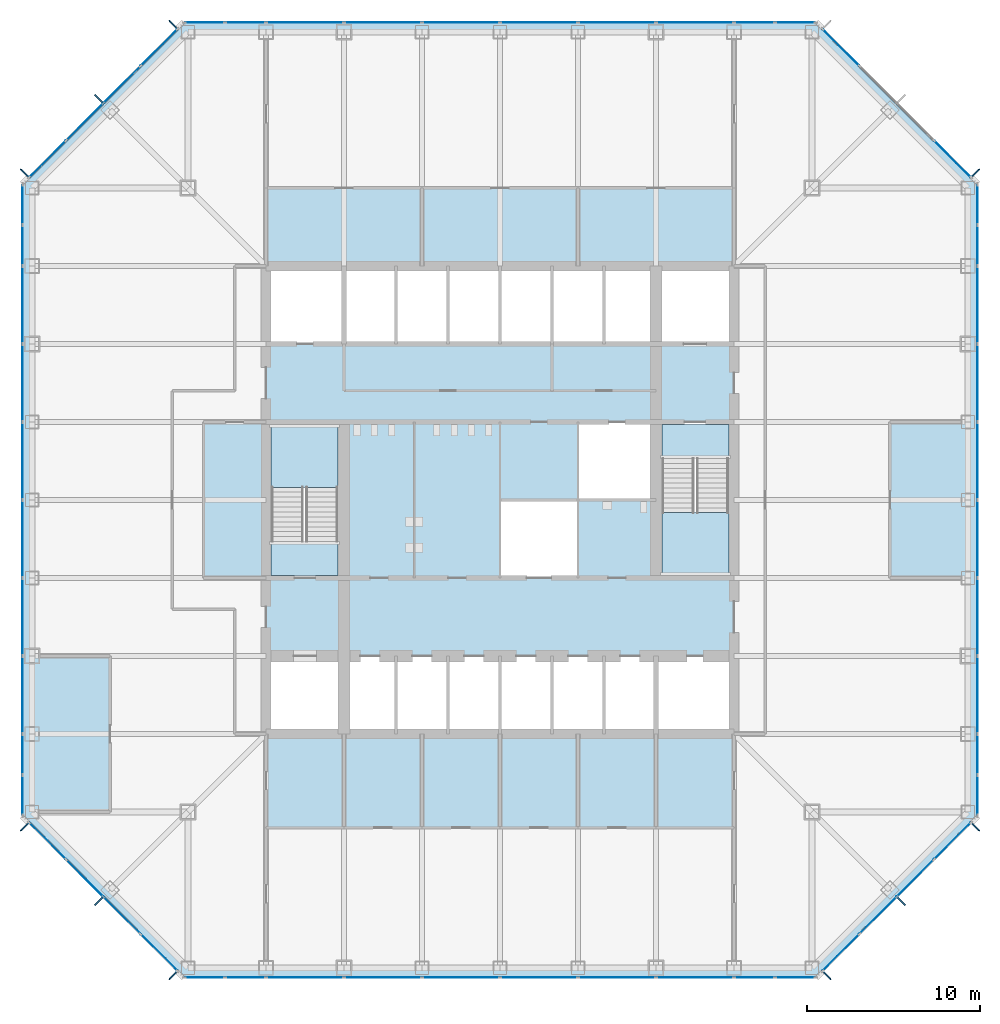
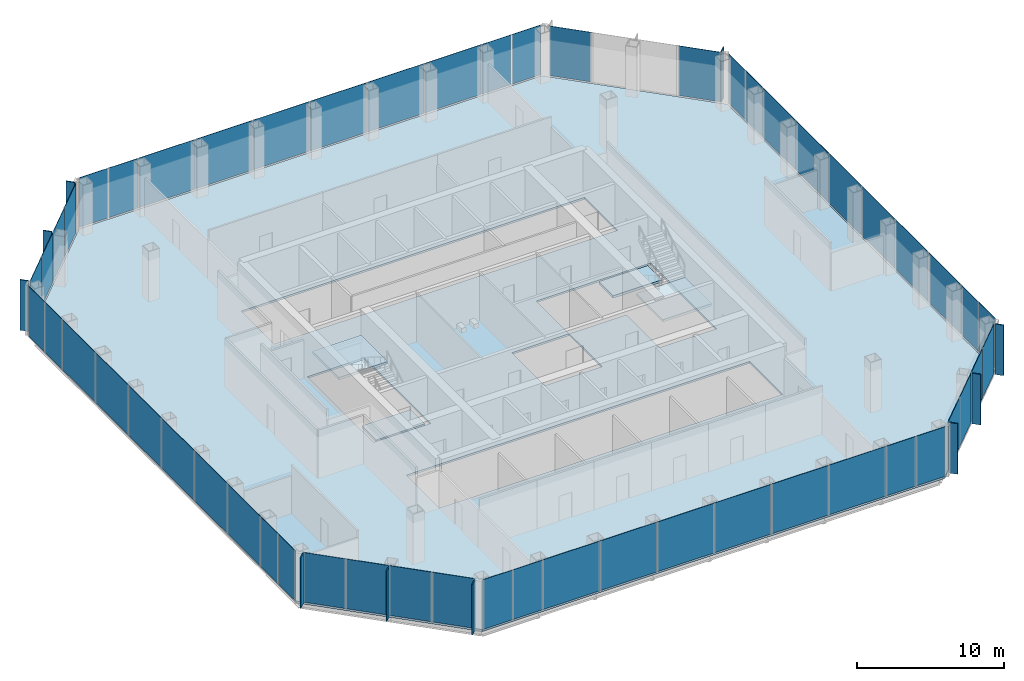
# One storey, part 7 of 12: 64 plates, 5 slabs, 10 elements without a shape of their own.
"""IFC4 building model written with IfcOpenShell, lengths in metres."""

from ifc_helpers import new_model, si_unit, direction, frame, origin, origin_2d, place, context, subcontext, project, spatial, polyline, rectangle, outline, extrude, material, layer, layer_set, type_object, element, aggregate, save


model = new_model("IFC4")

# Units and contexts
model_context = context("Model", 3, precision=1e-05, world=origin(), true_north=direction((0.0, 1.0)))
body_context = subcontext(model_context, "Body", "Model", "MODEL_VIEW")
ifc_project = project(units=[si_unit("LENGTHUNIT", "METRE"), si_unit("AREAUNIT", "SQUARE_METRE"), si_unit("VOLUMEUNIT", "CUBIC_METRE"), si_unit("PLANEANGLEUNIT", "RADIAN"), si_unit("MASSUNIT", "GRAM", prefix="KILO")], contexts=[model_context])

# Site, building, storey
site_placement = place(None, origin())
site = spatial("IfcSite", under=ifc_project, at=site_placement, CompositionType="ELEMENT")
building_placement = place(site_placement, origin())
building = spatial("IfcBuilding", under=site, at=building_placement, Name="Corais Broadcast Tower", CompositionType="ELEMENT")
storey_placement = place(building_placement, frame((0.0, 0.0, 54.199951171875)))
storey = spatial("IfcBuildingStorey", under=building, at=storey_placement, Name="L11", CompositionType="ELEMENT", Elevation=54.199951171875)

# Slab
ifc_material_1 = material(Name="Concrete C30/37", Category="concrete")
ifc_layer_1 = layer(ifc_material_1, 0.159912109375)
ifc_layer_set_1 = layer_set([ifc_layer_1], Name="Concrete C30/37")
slab_type_1 = type_object("IfcSlabType", Name="Composite floor slab 160", PredefinedType="FLOOR", material=ifc_layer_set_1)
slab_1_placement = place(storey_placement, frame((0.0, 0.0, -0.159912109375)))
element("IfcSlab", 1, at=slab_1_placement, inside=storey, type_object=slab_type_1, Name="S160 floor slab L11", PredefinedType="FLOOR", context=body_context, shape_type="SweptSolid", body=[
    extrude(outline(polyline([(8.80126953125, -0.47998046875), (-0.47998046875, 8.80126953125), (-0.47998046875, 45.19873046875), (8.80126953125, 54.47998046875), (45.19873046875, 54.47998046875), (54.47998046875, 45.19873046875), (54.47998046875, 8.80126953125), (45.19873046875, -0.47998046875), (8.80126953125, -0.47998046875)]), holes=[polyline([(13.5, 18.0), (40.5, 18.0), (40.5, 13.5), (13.5, 13.5), (13.5, 18.0)]), polyline([(13.5, 22.5), (13.5, 31.5), (18.0, 31.5), (18.0, 22.5), (13.5, 22.5)]), polyline([(13.5, 40.5), (40.5, 40.5), (40.5, 36.0), (13.5, 36.0), (13.5, 40.5)]), polyline([(27.0, 22.5), (27.0, 27.0), (31.4951171875, 27.0), (31.4951171875, 27.0048828125), (31.5, 27.0048828125), (31.5, 31.5), (40.5, 31.5), (40.5, 22.5), (36.0, 22.5), (36.0, 27.0), (31.5048828125, 27.0), (31.5048828125, 26.9951171875), (31.5, 26.9951171875), (31.5, 22.5), (27.0, 22.5)])]), origin(), (0.0, 0.0, 1.0), 0.159912109375),
])

# Curtain wall, plates
ifc_material_2 = material(Name="Aluminium and glass", Category="aluminium")
curtain_wall_type = type_object("IfcCurtainWallType", Name="Unitised fritted curtain wall CW1", PredefinedType="NOTDEFINED", material=ifc_material_2)
curtain_wall_1_placement = place(storey_placement, origin())
curtain_wall_1 = element("IfcCurtainWall", 2, at=curtain_wall_1_placement, inside=storey, type_object=curtain_wall_type, Name="CW1 curtain wall L11 1", PredefinedType="NOTDEFINED")
ifc_material_3 = material(Name="Ceramic-fritted laminated glass", Category="glass")
ifc_layer_2 = layer(ifc_material_3, 0.030029296875)
ifc_layer_set_2 = layer_set([ifc_layer_2], Name="Ceramic-fritted laminated glass")
plate_type_1 = type_object("IfcPlateType", Name="Fritted glass panel CW1", PredefinedType="CURTAIN_PANEL", material=ifc_layer_set_2)
plate_1_placement = place(storey_placement, frame((7.330322265625, 0.891845703125, 0.06494140625), z_axis=(0.0, 0.0, 1.0), x_axis=(-0.707106781187, 0.707106781187, 0.0)))
plate_1 = element("IfcPlate", 3, at=plate_1_placement, type_object=plate_type_1, Name="CW1 panel 1", PredefinedType="CURTAIN_PANEL", context=body_context, shape_type="SweptSolid", body=[
    extrude(rectangle(XDim=2.9482421875, YDim=0.030029296875, at=origin_2d()), origin(), (0.0, 0.0, 1.0), 4.135009765625),
])
plate_2_placement = place(storey_placement, frame((3.0341796875, 5.18798828125, 0.06494140625), z_axis=(0.0, 0.0, 1.0), x_axis=(-0.707106781187, 0.707106781187, 0.0)))
plate_2 = element("IfcPlate", 4, at=plate_2_placement, type_object=plate_type_1, Name="CW1 panel 3", PredefinedType="CURTAIN_PANEL", context=body_context, shape_type="SweptSolid", body=[
    extrude(rectangle(XDim=2.98095703125, YDim=0.030029296875, at=origin_2d()), origin(), (0.0, 0.0, 1.0), 4.135009765625),
])

curtain_wall_2_placement = place(storey_placement, origin())
curtain_wall_2 = element("IfcCurtainWall", 5, at=curtain_wall_2_placement, inside=storey, type_object=curtain_wall_type, Name="CW1 curtain wall L11 2", PredefinedType="NOTDEFINED")
plate_3_placement = place(storey_placement, frame((-0.550048828125, 9.970458984375, 0.06494140625), z_axis=(0.0, 0.0, 1.0), x_axis=(0.0, 1.0, 0.0)))
plate_3 = element("IfcPlate", 6, at=plate_3_placement, type_object=plate_type_1, Name="CW1 panel 1", PredefinedType="CURTAIN_PANEL", context=body_context, shape_type="SweptSolid", body=[
    extrude(rectangle(XDim=2.266357421875, YDim=0.030029296875, at=origin_2d()), origin(), (0.0, 0.0, 1.0), 4.135009765625),
])
plate_4_placement = place(storey_placement, frame((-0.550048828125, 15.75, 0.06494140625), z_axis=(0.0, 0.0, 1.0), x_axis=(0.0, 1.0, 0.0)))
plate_4 = element("IfcPlate", 7, at=plate_4_placement, type_object=plate_type_1, Name="CW1 panel 3", PredefinedType="CURTAIN_PANEL", context=body_context, shape_type="SweptSolid", body=[
    extrude(rectangle(XDim=4.43505859375, YDim=0.030029296875, at=origin_2d()), origin(), (0.0, 0.0, 1.0), 4.135009765625),
])
plate_5_placement = place(storey_placement, frame((-0.550048828125, 24.75, 0.06494140625), z_axis=(0.0, 0.0, 1.0), x_axis=(0.0, 1.0, 0.0)))
plate_5 = element("IfcPlate", 8, at=plate_5_placement, type_object=plate_type_1, Name="CW1 panel 5", PredefinedType="CURTAIN_PANEL", context=body_context, shape_type="SweptSolid", body=[
    extrude(rectangle(XDim=4.43505859375, YDim=0.030029296875, at=origin_2d()), origin(), (0.0, 0.0, 1.0), 4.135009765625),
])
plate_6_placement = place(storey_placement, frame((-0.550048828125, 33.75, 0.06494140625), z_axis=(0.0, 0.0, 1.0), x_axis=(0.0, 1.0, 0.0)))
plate_6 = element("IfcPlate", 9, at=plate_6_placement, type_object=plate_type_1, Name="CW1 panel 7", PredefinedType="CURTAIN_PANEL", context=body_context, shape_type="SweptSolid", body=[
    extrude(rectangle(XDim=4.43505859375, YDim=0.030029296875, at=origin_2d()), origin(), (0.0, 0.0, 1.0), 4.135009765625),
])
plate_7_placement = place(storey_placement, frame((-0.550048828125, 41.681884765625, 0.06494140625), z_axis=(0.0, 0.0, 1.0), x_axis=(0.0, 1.0, 0.0)))
plate_7 = element("IfcPlate", 10, at=plate_7_placement, type_object=plate_type_1, Name="CW1 panel 9", PredefinedType="CURTAIN_PANEL", context=body_context, shape_type="SweptSolid", body=[
    extrude(rectangle(XDim=2.298828125, YDim=0.030029296875, at=origin_2d()), origin(), (0.0, 0.0, 1.0), 4.135009765625),
])

curtain_wall_3_placement = place(storey_placement, origin())
curtain_wall_3 = element("IfcCurtainWall", 11, at=curtain_wall_3_placement, inside=storey, type_object=curtain_wall_type, Name="CW1 curtain wall L11 3", PredefinedType="NOTDEFINED")
plate_8_placement = place(storey_placement, frame((0.891845703125, 46.669677734375, 0.06494140625), z_axis=(0.0, 0.0, 1.0), x_axis=(0.707106781187, 0.707106781187, 0.0)))
plate_8 = element("IfcPlate", 12, at=plate_8_placement, type_object=plate_type_1, Name="CW1 panel 1", PredefinedType="CURTAIN_PANEL", context=body_context, shape_type="SweptSolid", body=[
    extrude(rectangle(XDim=2.9482421875, YDim=0.030029296875, at=origin_2d()), origin(), (0.0, 0.0, 1.0), 4.135009765625),
])
plate_9_placement = place(storey_placement, frame((5.18798828125, 50.9658203125, 0.06494140625), z_axis=(0.0, 0.0, 1.0), x_axis=(0.707106781187, 0.707106781187, 0.0)))
plate_9 = element("IfcPlate", 13, at=plate_9_placement, type_object=plate_type_1, Name="CW1 panel 3", PredefinedType="CURTAIN_PANEL", context=body_context, shape_type="SweptSolid", body=[
    extrude(rectangle(XDim=2.98095703125, YDim=0.030029296875, at=origin_2d()), origin(), (0.0, 0.0, 1.0), 4.135009765625),
])

curtain_wall_4_placement = place(storey_placement, origin())
curtain_wall_4 = element("IfcCurtainWall", 14, at=curtain_wall_4_placement, inside=storey, type_object=curtain_wall_type, Name="CW1 curtain wall L11 4", PredefinedType="NOTDEFINED")
plate_10_placement = place(storey_placement, frame((9.970458984375, 54.550048828125, 0.06494140625), z_axis=(0.0, 0.0, 1.0), x_axis=(1.0, 0.0, 0.0)))
plate_10 = element("IfcPlate", 15, at=plate_10_placement, type_object=plate_type_1, Name="CW1 panel 1", PredefinedType="CURTAIN_PANEL", context=body_context, shape_type="SweptSolid", body=[
    extrude(rectangle(XDim=2.266357421875, YDim=0.030029296875, at=origin_2d()), origin(), (0.0, 0.0, 1.0), 4.135009765625),
])
plate_11_placement = place(storey_placement, frame((15.75, 54.550048828125, 0.06494140625), z_axis=(0.0, 0.0, 1.0), x_axis=(1.0, 0.0, 0.0)))
plate_11 = element("IfcPlate", 16, at=plate_11_placement, type_object=plate_type_1, Name="CW1 panel 3", PredefinedType="CURTAIN_PANEL", context=body_context, shape_type="SweptSolid", body=[
    extrude(rectangle(XDim=4.43505859375, YDim=0.030029296875, at=origin_2d()), origin(), (0.0, 0.0, 1.0), 4.135009765625),
])
plate_12_placement = place(storey_placement, frame((24.75, 54.550048828125, 0.06494140625), z_axis=(0.0, 0.0, 1.0), x_axis=(1.0, 0.0, 0.0)))
plate_12 = element("IfcPlate", 17, at=plate_12_placement, type_object=plate_type_1, Name="CW1 panel 5", PredefinedType="CURTAIN_PANEL", context=body_context, shape_type="SweptSolid", body=[
    extrude(rectangle(XDim=4.43505859375, YDim=0.030029296875, at=origin_2d()), origin(), (0.0, 0.0, 1.0), 4.135009765625),
])
plate_13_placement = place(storey_placement, frame((33.75, 54.550048828125, 0.06494140625), z_axis=(0.0, 0.0, 1.0), x_axis=(1.0, 0.0, 0.0)))
plate_13 = element("IfcPlate", 18, at=plate_13_placement, type_object=plate_type_1, Name="CW1 panel 7", PredefinedType="CURTAIN_PANEL", context=body_context, shape_type="SweptSolid", body=[
    extrude(rectangle(XDim=4.43505859375, YDim=0.030029296875, at=origin_2d()), origin(), (0.0, 0.0, 1.0), 4.135009765625),
])
plate_14_placement = place(storey_placement, frame((41.681884765625, 54.550048828125, 0.06494140625), z_axis=(0.0, 0.0, 1.0), x_axis=(1.0, 0.0, 0.0)))
plate_14 = element("IfcPlate", 19, at=plate_14_placement, type_object=plate_type_1, Name="CW1 panel 9", PredefinedType="CURTAIN_PANEL", context=body_context, shape_type="SweptSolid", body=[
    extrude(rectangle(XDim=2.298828125, YDim=0.030029296875, at=origin_2d()), origin(), (0.0, 0.0, 1.0), 4.135009765625),
])

# Curtain wall, plate
curtain_wall_5_placement = place(storey_placement, origin())
curtain_wall_5 = element("IfcCurtainWall", 20, at=curtain_wall_5_placement, inside=storey, type_object=curtain_wall_type, Name="CW1 curtain wall L11 5", PredefinedType="NOTDEFINED")
plate_15_placement = place(storey_placement, frame((46.669677734375, 53.108154296875, 0.06494140625), z_axis=(0.0, 0.0, 1.0), x_axis=(0.707106781187, -0.707106781187, 0.0)))
plate_15 = element("IfcPlate", 21, at=plate_15_placement, type_object=plate_type_1, Name="CW1 panel 1", PredefinedType="CURTAIN_PANEL", context=body_context, shape_type="SweptSolid", body=[
    extrude(rectangle(XDim=2.9482421875, YDim=0.030029296875, at=origin_2d()), origin(), (0.0, 0.0, 1.0), 4.135009765625),
])

# Curtain wall, plates
curtain_wall_6_placement = place(storey_placement, origin())
curtain_wall_6 = element("IfcCurtainWall", 22, at=curtain_wall_6_placement, inside=storey, type_object=curtain_wall_type, Name="CW1 curtain wall L11 6", PredefinedType="NOTDEFINED")
plate_16_placement = place(storey_placement, frame((54.550048828125, 44.029541015625, 0.06494140625), z_axis=(0.0, 0.0, 1.0), x_axis=(0.0, -1.0, 0.0)))
plate_16 = element("IfcPlate", 23, at=plate_16_placement, type_object=plate_type_1, Name="CW1 panel 1", PredefinedType="CURTAIN_PANEL", context=body_context, shape_type="SweptSolid", body=[
    extrude(rectangle(XDim=2.266357421875, YDim=0.030029296875, at=origin_2d()), origin(), (0.0, 0.0, 1.0), 4.135009765625),
])
plate_17_placement = place(storey_placement, frame((54.550048828125, 38.25, 0.06494140625), z_axis=(0.0, 0.0, 1.0), x_axis=(0.0, -1.0, 0.0)))
plate_17 = element("IfcPlate", 24, at=plate_17_placement, type_object=plate_type_1, Name="CW1 panel 3", PredefinedType="CURTAIN_PANEL", context=body_context, shape_type="SweptSolid", body=[
    extrude(rectangle(XDim=4.43505859375, YDim=0.030029296875, at=origin_2d()), origin(), (0.0, 0.0, 1.0), 4.135009765625),
])
plate_18_placement = place(storey_placement, frame((54.550048828125, 29.25, 0.06494140625), z_axis=(0.0, 0.0, 1.0), x_axis=(0.0, -1.0, 0.0)))
plate_18 = element("IfcPlate", 25, at=plate_18_placement, type_object=plate_type_1, Name="CW1 panel 5", PredefinedType="CURTAIN_PANEL", context=body_context, shape_type="SweptSolid", body=[
    extrude(rectangle(XDim=4.43505859375, YDim=0.030029296875, at=origin_2d()), origin(), (0.0, 0.0, 1.0), 4.135009765625),
])
plate_19_placement = place(storey_placement, frame((54.550048828125, 20.25, 0.06494140625), z_axis=(0.0, 0.0, 1.0), x_axis=(0.0, -1.0, 0.0)))
plate_19 = element("IfcPlate", 26, at=plate_19_placement, type_object=plate_type_1, Name="CW1 panel 7", PredefinedType="CURTAIN_PANEL", context=body_context, shape_type="SweptSolid", body=[
    extrude(rectangle(XDim=4.43505859375, YDim=0.030029296875, at=origin_2d()), origin(), (0.0, 0.0, 1.0), 4.135009765625),
])
plate_20_placement = place(storey_placement, frame((54.550048828125, 12.318115234375, 0.06494140625), z_axis=(0.0, 0.0, 1.0), x_axis=(0.0, -1.0, 0.0)))
plate_20 = element("IfcPlate", 27, at=plate_20_placement, type_object=plate_type_1, Name="CW1 panel 9", PredefinedType="CURTAIN_PANEL", context=body_context, shape_type="SweptSolid", body=[
    extrude(rectangle(XDim=2.298828125, YDim=0.030029296875, at=origin_2d()), origin(), (0.0, 0.0, 1.0), 4.135009765625),
])

curtain_wall_7_placement = place(storey_placement, origin())
curtain_wall_7 = element("IfcCurtainWall", 28, at=curtain_wall_7_placement, inside=storey, type_object=curtain_wall_type, Name="CW1 curtain wall L11 7", PredefinedType="NOTDEFINED")
plate_21_placement = place(storey_placement, frame((53.108154296875, 7.330322265625, 0.06494140625), z_axis=(0.0, 0.0, 1.0), x_axis=(-0.707106781187, -0.707106781187, 0.0)))
plate_21 = element("IfcPlate", 29, at=plate_21_placement, type_object=plate_type_1, Name="CW1 panel 1", PredefinedType="CURTAIN_PANEL", context=body_context, shape_type="SweptSolid", body=[
    extrude(rectangle(XDim=2.9482421875, YDim=0.030029296875, at=origin_2d()), origin(), (0.0, 0.0, 1.0), 4.135009765625),
])
plate_22_placement = place(storey_placement, frame((48.81201171875, 3.0341796875, 0.06494140625), z_axis=(0.0, 0.0, 1.0), x_axis=(-0.707106781187, -0.707106781187, 0.0)))
plate_22 = element("IfcPlate", 30, at=plate_22_placement, type_object=plate_type_1, Name="CW1 panel 3", PredefinedType="CURTAIN_PANEL", context=body_context, shape_type="SweptSolid", body=[
    extrude(rectangle(XDim=2.98095703125, YDim=0.030029296875, at=origin_2d()), origin(), (0.0, 0.0, 1.0), 4.135009765625),
])

curtain_wall_8_placement = place(storey_placement, origin())
curtain_wall_8 = element("IfcCurtainWall", 31, at=curtain_wall_8_placement, inside=storey, type_object=curtain_wall_type, Name="CW1 curtain wall L11 8", PredefinedType="NOTDEFINED")
plate_23_placement = place(storey_placement, frame((44.029541015625, -0.550048828125, 0.06494140625), z_axis=(0.0, 0.0, 1.0), x_axis=(-1.0, 0.0, 0.0)))
plate_23 = element("IfcPlate", 32, at=plate_23_placement, type_object=plate_type_1, Name="CW1 panel 1", PredefinedType="CURTAIN_PANEL", context=body_context, shape_type="SweptSolid", body=[
    extrude(rectangle(XDim=2.266357421875, YDim=0.030029296875, at=origin_2d()), origin(), (0.0, 0.0, 1.0), 4.135009765625),
])
plate_24_placement = place(storey_placement, frame((38.25, -0.550048828125, 0.06494140625), z_axis=(0.0, 0.0, 1.0), x_axis=(-1.0, 0.0, 0.0)))
plate_24 = element("IfcPlate", 33, at=plate_24_placement, type_object=plate_type_1, Name="CW1 panel 3", PredefinedType="CURTAIN_PANEL", context=body_context, shape_type="SweptSolid", body=[
    extrude(rectangle(XDim=4.43505859375, YDim=0.030029296875, at=origin_2d()), origin(), (0.0, 0.0, 1.0), 4.135009765625),
])
plate_25_placement = place(storey_placement, frame((29.25, -0.550048828125, 0.06494140625), z_axis=(0.0, 0.0, 1.0), x_axis=(-1.0, 0.0, 0.0)))
plate_25 = element("IfcPlate", 34, at=plate_25_placement, type_object=plate_type_1, Name="CW1 panel 5", PredefinedType="CURTAIN_PANEL", context=body_context, shape_type="SweptSolid", body=[
    extrude(rectangle(XDim=4.43505859375, YDim=0.030029296875, at=origin_2d()), origin(), (0.0, 0.0, 1.0), 4.135009765625),
])
plate_26_placement = place(storey_placement, frame((20.25, -0.550048828125, 0.06494140625), z_axis=(0.0, 0.0, 1.0), x_axis=(-1.0, 0.0, 0.0)))
plate_26 = element("IfcPlate", 35, at=plate_26_placement, type_object=plate_type_1, Name="CW1 panel 7", PredefinedType="CURTAIN_PANEL", context=body_context, shape_type="SweptSolid", body=[
    extrude(rectangle(XDim=4.43505859375, YDim=0.030029296875, at=origin_2d()), origin(), (0.0, 0.0, 1.0), 4.135009765625),
])
plate_27_placement = place(storey_placement, frame((12.318115234375, -0.550048828125, 0.06494140625), z_axis=(0.0, 0.0, 1.0), x_axis=(-1.0, 0.0, 0.0)))
plate_27 = element("IfcPlate", 36, at=plate_27_placement, type_object=plate_type_1, Name="CW1 panel 9", PredefinedType="CURTAIN_PANEL", context=body_context, shape_type="SweptSolid", body=[
    extrude(rectangle(XDim=2.298828125, YDim=0.030029296875, at=origin_2d()), origin(), (0.0, 0.0, 1.0), 4.135009765625),
])

# Plate
ifc_material_4 = material(Name="Clear laminated glass", Category="glass")
ifc_layer_3 = layer(ifc_material_4, 0.033935546875)
ifc_layer_set_3 = layer_set([ifc_layer_3], Name="Clear laminated glass")
plate_type_2 = type_object("IfcPlateType", Name="Operable glass panel CW1", PredefinedType="CURTAIN_PANEL", material=ifc_layer_set_3)
plate_28_placement = place(storey_placement, frame((5.18798828125, 3.0341796875, 0.06494140625), z_axis=(0.0, 0.0, 1.0), x_axis=(-0.707106781187, 0.707106781187, 0.0)))
plate_28 = element("IfcPlate", 37, at=plate_28_placement, type_object=plate_type_2, Name="CW1 operable panel 2", PredefinedType="CURTAIN_PANEL", context=body_context, shape_type="SweptSolid", body=[
    extrude(rectangle(XDim=2.98095703125, YDim=0.033935546875, at=origin_2d()), origin(), (0.0, 0.0, 1.0), 4.135009765625),
])

plate_29_placement = place(storey_placement, frame((0.89208984375, 7.330322265625, 0.06494140625), z_axis=(0.0, 0.0, 1.0), x_axis=(-0.707106781187, 0.707106781187, 0.0)))
plate_29 = element("IfcPlate", 38, at=plate_29_placement, type_object=plate_type_2, Name="CW1 operable panel 4", PredefinedType="CURTAIN_PANEL", context=body_context, shape_type="SweptSolid", body=[
    extrude(rectangle(XDim=2.948486328125, YDim=0.033935546875, at=origin_2d()), origin(), (0.0, 0.0, 1.0), 4.135009765625),
])

aggregate(curtain_wall_1, [plate_1, plate_28, plate_2, plate_29])

plate_30_placement = place(storey_placement, frame((-0.550048828125, 12.318115234375, 0.06494140625), z_axis=(0.0, 0.0, 1.0), x_axis=(0.0, 1.0, 0.0)))
plate_30 = element("IfcPlate", 39, at=plate_30_placement, type_object=plate_type_2, Name="CW1 operable panel 2", PredefinedType="CURTAIN_PANEL", context=body_context, shape_type="SweptSolid", body=[
    extrude(rectangle(XDim=2.298828125, YDim=0.033935546875, at=origin_2d()), origin(), (0.0, 0.0, 1.0), 4.135009765625),
])

plate_31_placement = place(storey_placement, frame((-0.550048828125, 20.25, 0.06494140625), z_axis=(0.0, 0.0, 1.0), x_axis=(0.0, 1.0, 0.0)))
plate_31 = element("IfcPlate", 40, at=plate_31_placement, type_object=plate_type_2, Name="CW1 operable panel 4", PredefinedType="CURTAIN_PANEL", context=body_context, shape_type="SweptSolid", body=[
    extrude(rectangle(XDim=4.43505859375, YDim=0.033935546875, at=origin_2d()), origin(), (0.0, 0.0, 1.0), 4.135009765625),
])

plate_32_placement = place(storey_placement, frame((-0.550048828125, 29.25, 0.06494140625), z_axis=(0.0, 0.0, 1.0), x_axis=(0.0, 1.0, 0.0)))
plate_32 = element("IfcPlate", 41, at=plate_32_placement, type_object=plate_type_2, Name="CW1 operable panel 6", PredefinedType="CURTAIN_PANEL", context=body_context, shape_type="SweptSolid", body=[
    extrude(rectangle(XDim=4.43505859375, YDim=0.033935546875, at=origin_2d()), origin(), (0.0, 0.0, 1.0), 4.135009765625),
])

plate_33_placement = place(storey_placement, frame((-0.550048828125, 38.25, 0.06494140625), z_axis=(0.0, 0.0, 1.0), x_axis=(0.0, 1.0, 0.0)))
plate_33 = element("IfcPlate", 42, at=plate_33_placement, type_object=plate_type_2, Name="CW1 operable panel 8", PredefinedType="CURTAIN_PANEL", context=body_context, shape_type="SweptSolid", body=[
    extrude(rectangle(XDim=4.43505859375, YDim=0.033935546875, at=origin_2d()), origin(), (0.0, 0.0, 1.0), 4.135009765625),
])

plate_34_placement = place(storey_placement, frame((-0.550048828125, 44.029541015625, 0.06494140625), z_axis=(0.0, 0.0, 1.0), x_axis=(0.0, 1.0, 0.0)))
plate_34 = element("IfcPlate", 43, at=plate_34_placement, type_object=plate_type_2, Name="CW1 operable panel 10", PredefinedType="CURTAIN_PANEL", context=body_context, shape_type="SweptSolid", body=[
    extrude(rectangle(XDim=2.266357421875, YDim=0.033935546875, at=origin_2d()), origin(), (0.0, 0.0, 1.0), 4.135009765625),
])

aggregate(curtain_wall_2, [plate_3, plate_30, plate_4, plate_31, plate_5, plate_32, plate_6, plate_33, plate_7, plate_34])

plate_35_placement = place(storey_placement, frame((3.0341796875, 48.81201171875, 0.06494140625), z_axis=(0.0, 0.0, 1.0), x_axis=(0.707106781187, 0.707106781187, 0.0)))
plate_35 = element("IfcPlate", 44, at=plate_35_placement, type_object=plate_type_2, Name="CW1 operable panel 2", PredefinedType="CURTAIN_PANEL", context=body_context, shape_type="SweptSolid", body=[
    extrude(rectangle(XDim=2.98095703125, YDim=0.033935546875, at=origin_2d()), origin(), (0.0, 0.0, 1.0), 4.135009765625),
])

plate_36_placement = place(storey_placement, frame((7.330322265625, 53.10791015625, 0.06494140625), z_axis=(0.0, 0.0, 1.0), x_axis=(0.707106781187, 0.707106781187, 0.0)))
plate_36 = element("IfcPlate", 45, at=plate_36_placement, type_object=plate_type_2, Name="CW1 operable panel 4", PredefinedType="CURTAIN_PANEL", context=body_context, shape_type="SweptSolid", body=[
    extrude(rectangle(XDim=2.948486328125, YDim=0.033935546875, at=origin_2d()), origin(), (0.0, 0.0, 1.0), 4.135009765625),
])

aggregate(curtain_wall_3, [plate_8, plate_35, plate_9, plate_36])

plate_37_placement = place(storey_placement, frame((12.318115234375, 54.550048828125, 0.06494140625), z_axis=(0.0, 0.0, 1.0), x_axis=(1.0, 0.0, 0.0)))
plate_37 = element("IfcPlate", 46, at=plate_37_placement, type_object=plate_type_2, Name="CW1 operable panel 2", PredefinedType="CURTAIN_PANEL", context=body_context, shape_type="SweptSolid", body=[
    extrude(rectangle(XDim=2.298828125, YDim=0.033935546875, at=origin_2d()), origin(), (0.0, 0.0, 1.0), 4.135009765625),
])

plate_38_placement = place(storey_placement, frame((20.25, 54.550048828125, 0.06494140625), z_axis=(0.0, 0.0, 1.0), x_axis=(1.0, 0.0, 0.0)))
plate_38 = element("IfcPlate", 47, at=plate_38_placement, type_object=plate_type_2, Name="CW1 operable panel 4", PredefinedType="CURTAIN_PANEL", context=body_context, shape_type="SweptSolid", body=[
    extrude(rectangle(XDim=4.43505859375, YDim=0.033935546875, at=origin_2d()), origin(), (0.0, 0.0, 1.0), 4.135009765625),
])

plate_39_placement = place(storey_placement, frame((29.25, 54.550048828125, 0.06494140625), z_axis=(0.0, 0.0, 1.0), x_axis=(1.0, 0.0, 0.0)))
plate_39 = element("IfcPlate", 48, at=plate_39_placement, type_object=plate_type_2, Name="CW1 operable panel 6", PredefinedType="CURTAIN_PANEL", context=body_context, shape_type="SweptSolid", body=[
    extrude(rectangle(XDim=4.43505859375, YDim=0.033935546875, at=origin_2d()), origin(), (0.0, 0.0, 1.0), 4.135009765625),
])

plate_40_placement = place(storey_placement, frame((38.25, 54.550048828125, 0.06494140625), z_axis=(0.0, 0.0, 1.0), x_axis=(1.0, 0.0, 0.0)))
plate_40 = element("IfcPlate", 49, at=plate_40_placement, type_object=plate_type_2, Name="CW1 operable panel 8", PredefinedType="CURTAIN_PANEL", context=body_context, shape_type="SweptSolid", body=[
    extrude(rectangle(XDim=4.43505859375, YDim=0.033935546875, at=origin_2d()), origin(), (0.0, 0.0, 1.0), 4.135009765625),
])

plate_41_placement = place(storey_placement, frame((44.029541015625, 54.550048828125, 0.06494140625), z_axis=(0.0, 0.0, 1.0), x_axis=(1.0, 0.0, 0.0)))
plate_41 = element("IfcPlate", 50, at=plate_41_placement, type_object=plate_type_2, Name="CW1 operable panel 10", PredefinedType="CURTAIN_PANEL", context=body_context, shape_type="SweptSolid", body=[
    extrude(rectangle(XDim=2.266357421875, YDim=0.033935546875, at=origin_2d()), origin(), (0.0, 0.0, 1.0), 4.135009765625),
])

aggregate(curtain_wall_4, [plate_10, plate_37, plate_11, plate_38, plate_12, plate_39, plate_13, plate_40, plate_14, plate_41])

plate_42_placement = place(storey_placement, frame((53.10791015625, 46.669677734375, 0.06494140625), z_axis=(0.0, 0.0, 1.0), x_axis=(0.707106781187, -0.707106781187, 0.0)))
plate_42 = element("IfcPlate", 51, at=plate_42_placement, type_object=plate_type_2, Name="CW1 operable panel 4", PredefinedType="CURTAIN_PANEL", context=body_context, shape_type="SweptSolid", body=[
    extrude(rectangle(XDim=2.948486328125, YDim=0.033935546875, at=origin_2d()), origin(), (0.0, 0.0, 1.0), 4.135009765625),
])

aggregate(curtain_wall_5, [plate_15, plate_42])

plate_43_placement = place(storey_placement, frame((54.550048828125, 41.681884765625, 0.06494140625), z_axis=(0.0, 0.0, 1.0), x_axis=(0.0, -1.0, 0.0)))
plate_43 = element("IfcPlate", 52, at=plate_43_placement, type_object=plate_type_2, Name="CW1 operable panel 2", PredefinedType="CURTAIN_PANEL", context=body_context, shape_type="SweptSolid", body=[
    extrude(rectangle(XDim=2.298828125, YDim=0.033935546875, at=origin_2d()), origin(), (0.0, 0.0, 1.0), 4.135009765625),
])

plate_44_placement = place(storey_placement, frame((54.550048828125, 33.75, 0.06494140625), z_axis=(0.0, 0.0, 1.0), x_axis=(0.0, -1.0, 0.0)))
plate_44 = element("IfcPlate", 53, at=plate_44_placement, type_object=plate_type_2, Name="CW1 operable panel 4", PredefinedType="CURTAIN_PANEL", context=body_context, shape_type="SweptSolid", body=[
    extrude(rectangle(XDim=4.43505859375, YDim=0.033935546875, at=origin_2d()), origin(), (0.0, 0.0, 1.0), 4.135009765625),
])

plate_45_placement = place(storey_placement, frame((54.550048828125, 24.75, 0.06494140625), z_axis=(0.0, 0.0, 1.0), x_axis=(0.0, -1.0, 0.0)))
plate_45 = element("IfcPlate", 54, at=plate_45_placement, type_object=plate_type_2, Name="CW1 operable panel 6", PredefinedType="CURTAIN_PANEL", context=body_context, shape_type="SweptSolid", body=[
    extrude(rectangle(XDim=4.43505859375, YDim=0.033935546875, at=origin_2d()), origin(), (0.0, 0.0, 1.0), 4.135009765625),
])

plate_46_placement = place(storey_placement, frame((54.550048828125, 15.75, 0.06494140625), z_axis=(0.0, 0.0, 1.0), x_axis=(0.0, -1.0, 0.0)))
plate_46 = element("IfcPlate", 55, at=plate_46_placement, type_object=plate_type_2, Name="CW1 operable panel 8", PredefinedType="CURTAIN_PANEL", context=body_context, shape_type="SweptSolid", body=[
    extrude(rectangle(XDim=4.43505859375, YDim=0.033935546875, at=origin_2d()), origin(), (0.0, 0.0, 1.0), 4.135009765625),
])

plate_47_placement = place(storey_placement, frame((54.550048828125, 9.970458984375, 0.06494140625), z_axis=(0.0, 0.0, 1.0), x_axis=(0.0, -1.0, 0.0)))
plate_47 = element("IfcPlate", 56, at=plate_47_placement, type_object=plate_type_2, Name="CW1 operable panel 10", PredefinedType="CURTAIN_PANEL", context=body_context, shape_type="SweptSolid", body=[
    extrude(rectangle(XDim=2.266357421875, YDim=0.033935546875, at=origin_2d()), origin(), (0.0, 0.0, 1.0), 4.135009765625),
])

aggregate(curtain_wall_6, [plate_16, plate_43, plate_17, plate_44, plate_18, plate_45, plate_19, plate_46, plate_20, plate_47])

plate_48_placement = place(storey_placement, frame((50.9658203125, 5.18798828125, 0.06494140625), z_axis=(0.0, 0.0, 1.0), x_axis=(-0.707106781187, -0.707106781187, 0.0)))
plate_48 = element("IfcPlate", 57, at=plate_48_placement, type_object=plate_type_2, Name="CW1 operable panel 2", PredefinedType="CURTAIN_PANEL", context=body_context, shape_type="SweptSolid", body=[
    extrude(rectangle(XDim=2.98095703125, YDim=0.033935546875, at=origin_2d()), origin(), (0.0, 0.0, 1.0), 4.135009765625),
])

plate_49_placement = place(storey_placement, frame((46.669677734375, 0.89208984375, 0.06494140625), z_axis=(0.0, 0.0, 1.0), x_axis=(-0.707106781187, -0.707106781187, 0.0)))
plate_49 = element("IfcPlate", 58, at=plate_49_placement, type_object=plate_type_2, Name="CW1 operable panel 4", PredefinedType="CURTAIN_PANEL", context=body_context, shape_type="SweptSolid", body=[
    extrude(rectangle(XDim=2.948486328125, YDim=0.033935546875, at=origin_2d()), origin(), (0.0, 0.0, 1.0), 4.135009765625),
])

aggregate(curtain_wall_7, [plate_21, plate_48, plate_22, plate_49])

plate_50_placement = place(storey_placement, frame((41.681884765625, -0.550048828125, 0.06494140625), z_axis=(0.0, 0.0, 1.0), x_axis=(-1.0, 0.0, 0.0)))
plate_50 = element("IfcPlate", 59, at=plate_50_placement, type_object=plate_type_2, Name="CW1 operable panel 2", PredefinedType="CURTAIN_PANEL", context=body_context, shape_type="SweptSolid", body=[
    extrude(rectangle(XDim=2.298828125, YDim=0.033935546875, at=origin_2d()), origin(), (0.0, 0.0, 1.0), 4.135009765625),
])

plate_51_placement = place(storey_placement, frame((33.75, -0.550048828125, 0.06494140625), z_axis=(0.0, 0.0, 1.0), x_axis=(-1.0, 0.0, 0.0)))
plate_51 = element("IfcPlate", 60, at=plate_51_placement, type_object=plate_type_2, Name="CW1 operable panel 4", PredefinedType="CURTAIN_PANEL", context=body_context, shape_type="SweptSolid", body=[
    extrude(rectangle(XDim=4.43505859375, YDim=0.033935546875, at=origin_2d()), origin(), (0.0, 0.0, 1.0), 4.135009765625),
])

plate_52_placement = place(storey_placement, frame((24.75, -0.550048828125, 0.06494140625), z_axis=(0.0, 0.0, 1.0), x_axis=(-1.0, 0.0, 0.0)))
plate_52 = element("IfcPlate", 61, at=plate_52_placement, type_object=plate_type_2, Name="CW1 operable panel 6", PredefinedType="CURTAIN_PANEL", context=body_context, shape_type="SweptSolid", body=[
    extrude(rectangle(XDim=4.43505859375, YDim=0.033935546875, at=origin_2d()), origin(), (0.0, 0.0, 1.0), 4.135009765625),
])

plate_53_placement = place(storey_placement, frame((15.75, -0.550048828125, 0.06494140625), z_axis=(0.0, 0.0, 1.0), x_axis=(-1.0, 0.0, 0.0)))
plate_53 = element("IfcPlate", 62, at=plate_53_placement, type_object=plate_type_2, Name="CW1 operable panel 8", PredefinedType="CURTAIN_PANEL", context=body_context, shape_type="SweptSolid", body=[
    extrude(rectangle(XDim=4.43505859375, YDim=0.033935546875, at=origin_2d()), origin(), (0.0, 0.0, 1.0), 4.135009765625),
])

plate_54_placement = place(storey_placement, frame((9.970458984375, -0.550048828125, 0.06494140625), z_axis=(0.0, 0.0, 1.0), x_axis=(-1.0, 0.0, 0.0)))
plate_54 = element("IfcPlate", 63, at=plate_54_placement, type_object=plate_type_2, Name="CW1 operable panel 10", PredefinedType="CURTAIN_PANEL", context=body_context, shape_type="SweptSolid", body=[
    extrude(rectangle(XDim=2.266357421875, YDim=0.033935546875, at=origin_2d()), origin(), (0.0, 0.0, 1.0), 4.135009765625),
])

aggregate(curtain_wall_8, [plate_23, plate_50, plate_24, plate_51, plate_25, plate_52, plate_26, plate_53, plate_27, plate_54])

# Stair, slabs
ifc_material_5 = material(Name="Concrete C30/37", Category="concrete")
stair_type = type_object("IfcStairType", Name="Half-turn stair 4200", PredefinedType="HALF_TURN_STAIR", material=ifc_material_5)
stair_1_placement = place(storey_placement, origin())
stair_1 = element("IfcStair", 64, at=stair_1_placement, inside=storey, type_object=stair_type, Name="Stair A L11", PredefinedType="HALF_TURN_STAIR")
ifc_material_6 = material(Name="Concrete C30/37", Category="concrete")
ifc_layer_4 = layer(ifc_material_6, 0.199951171875)
ifc_layer_set_4 = layer_set([ifc_layer_4], Name="Concrete C30/37")
slab_type_2 = type_object("IfcSlabType", Name="Stair landing 200", PredefinedType="LANDING", material=ifc_layer_set_4)
slab_2_placement = place(storey_placement, frame((0.0, 0.0, -0.199951171875)))
slab_2 = element("IfcSlab", 65, at=slab_2_placement, type_object=slab_type_2, Name="STA landing 1", PredefinedType="LANDING", context=body_context, shape_type="SweptSolid", body=[
    extrude(outline(polyline([(13.800048828125, 22.64990234375), (17.64990234375, 22.64990234375), (17.64990234375, 24.60009765625), (13.800048828125, 24.60009765625), (13.800048828125, 22.64990234375)])), origin(), (0.0, 0.0, 1.0), 0.199951171875),
])
slab_3_placement = place(storey_placement, frame((0.0, 0.0, 1.900146484375)))
slab_3 = element("IfcSlab", 66, at=slab_3_placement, type_object=slab_type_2, Name="STA landing 2", PredefinedType="LANDING", context=body_context, shape_type="SweptSolid", body=[
    extrude(outline(polyline([(13.800048828125, 27.735107421875), (17.64990234375, 27.735107421875), (17.64990234375, 31.35009765625), (13.800048828125, 31.35009765625), (13.800048828125, 27.735107421875)])), origin(), (0.0, 0.0, 1.0), 0.199951171875),
])
aggregate(stair_1, [slab_2, slab_3])

stair_2_placement = place(storey_placement, origin())
stair_2 = element("IfcStair", 67, at=stair_2_placement, inside=storey, type_object=stair_type, Name="Stair B L11", PredefinedType="HALF_TURN_STAIR")
slab_4_placement = place(storey_placement, frame((0.0, 0.0, -0.199951171875)))
slab_4 = element("IfcSlab", 68, at=slab_4_placement, type_object=slab_type_2, Name="STB landing 1", PredefinedType="LANDING", context=body_context, shape_type="SweptSolid", body=[
    extrude(outline(polyline([(36.35009765625, 29.39990234375), (40.199951171875, 29.39990234375), (40.199951171875, 31.35009765625), (36.35009765625, 31.35009765625), (36.35009765625, 29.39990234375)])), origin(), (0.0, 0.0, 1.0), 0.199951171875),
])
slab_5_placement = place(storey_placement, frame((0.0, 0.0, 1.900146484375)))
slab_5 = element("IfcSlab", 69, at=slab_5_placement, type_object=slab_type_2, Name="STB landing 2", PredefinedType="LANDING", context=body_context, shape_type="SweptSolid", body=[
    extrude(outline(polyline([(36.35009765625, 22.64990234375), (40.199951171875, 22.64990234375), (40.199951171875, 26.264892578125), (36.35009765625, 26.264892578125), (36.35009765625, 22.64990234375)])), origin(), (0.0, 0.0, 1.0), 0.199951171875),
])
aggregate(stair_2, [slab_4, slab_5])

# Plates
ifc_material_7 = material(Name="Granite stone cladding", Category="masonry")
ifc_layer_5 = layer(ifc_material_7, 0.080078125)
ifc_layer_set_5 = layer_set([ifc_layer_5], Name="Granite stone cladding")
plate_type_3 = type_object("IfcPlateType", Name="Stone screen fin 80x600", PredefinedType="USERDEFINED", material=ifc_layer_set_5)
for number, where, z_axis, x_axis, name in (
    (70, (8.114990234375, -0.4541015625, 0.0), (0.0, 0.0, 1.0), (-0.707106781187, 0.707106781187, 0.0), "SF1 stone screen fin L11"),
    (71, (3.830322265625, 3.830322265625, 0.0), (0.0, 0.0, 1.0), (-0.707106781187, 0.707106781187, 0.0), "SF1 stone screen fin L11"),
    (72, (-0.4541015625, 8.114990234375, 0.0), (0.0, 0.0, 1.0), (-0.707106781187, 0.707106781187, 0.0), "SF1 stone screen fin L11"),
    (73, (-0.4541015625, 45.885009765625, 0.0), (0.0, 0.0, 1.0), (0.707106781187, 0.707106781187, 0.0), "SF1 stone screen fin L11"),
    (74, (3.830322265625, 50.169677734375, 0.0), (0.0, 0.0, 1.0), (0.707106781187, 0.707106781187, 0.0), "SF1 stone screen fin L11"),
    (75, (8.114990234375, 54.4541015625, 0.0), (0.0, 0.0, 1.0), (0.707106781187, 0.707106781187, 0.0), "SF1 stone screen fin L11"),
    (76, (54.4541015625, 45.885009765625, 0.0), (0.0, 0.0, 1.0), (0.707106781187, -0.707106781187, 0.0), "SF1 stone screen fin L11"),
    (77, (54.4541015625, 8.114990234375, 0.0), (0.0, 0.0, 1.0), (-0.707106781187, -0.707106781187, 0.0), "SF1 stone screen fin L11"),
    (78, (50.169677734375, 3.830322265625, 0.0), (0.0, 0.0, 1.0), (-0.707106781187, -0.707106781187, 0.0), "SF1 stone screen fin L11"),
    (79, (45.885009765625, -0.4541015625, 0.0), (0.0, 0.0, 1.0), (-0.707106781187, -0.707106781187, 0.0), "SF1 stone screen fin L11"),
):
    element("IfcPlate", number, at=place(storey_placement, frame(where, z_axis=z_axis, x_axis=x_axis)), inside=storey, type_object=plate_type_3, Name=name, ObjectType="STONE SCREEN FIN", PredefinedType="USERDEFINED", context=body_context, shape_type="SweptSolid", body=[
        extrude(rectangle(XDim=0.080078125, YDim=0.60009765625, at=origin_2d()), origin(), (0.0, 0.0, 1.0), 4.199951171875),
    ])

save(model, "model.ifc")
